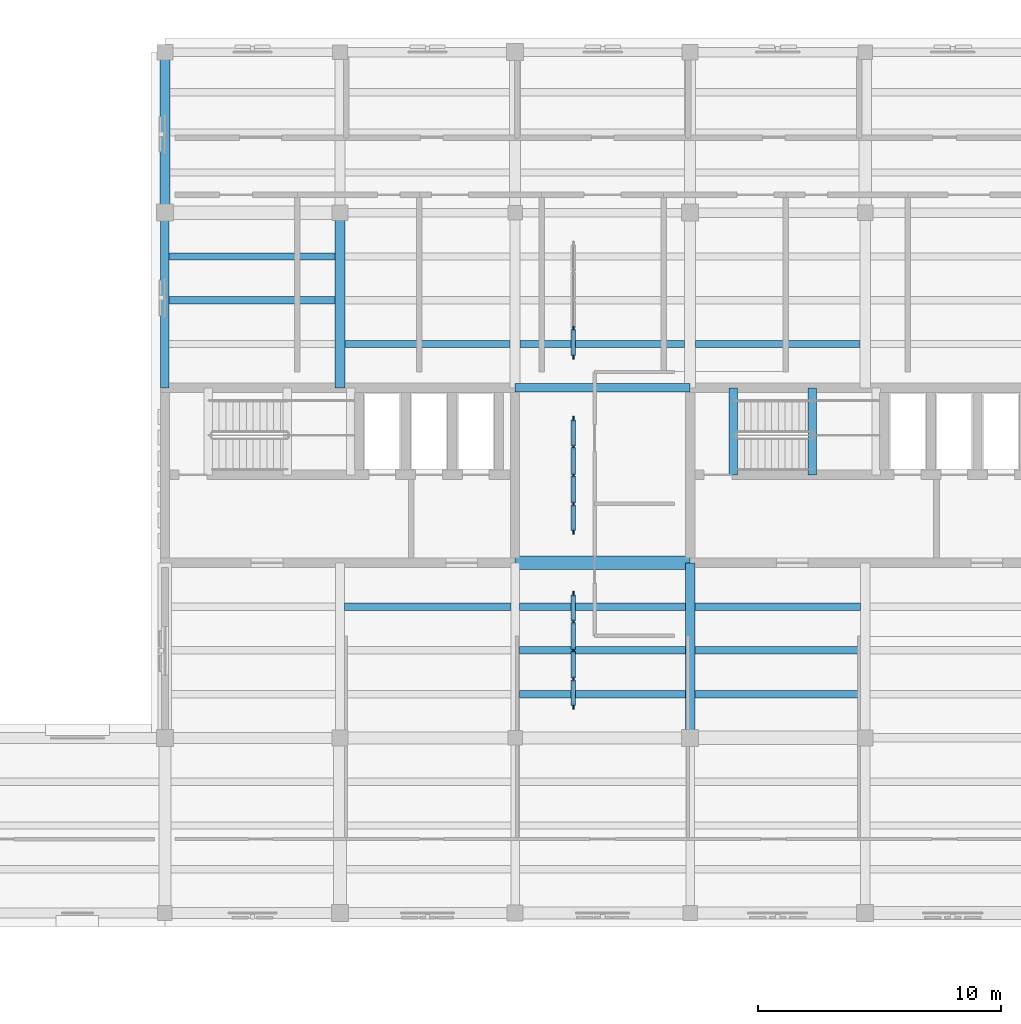
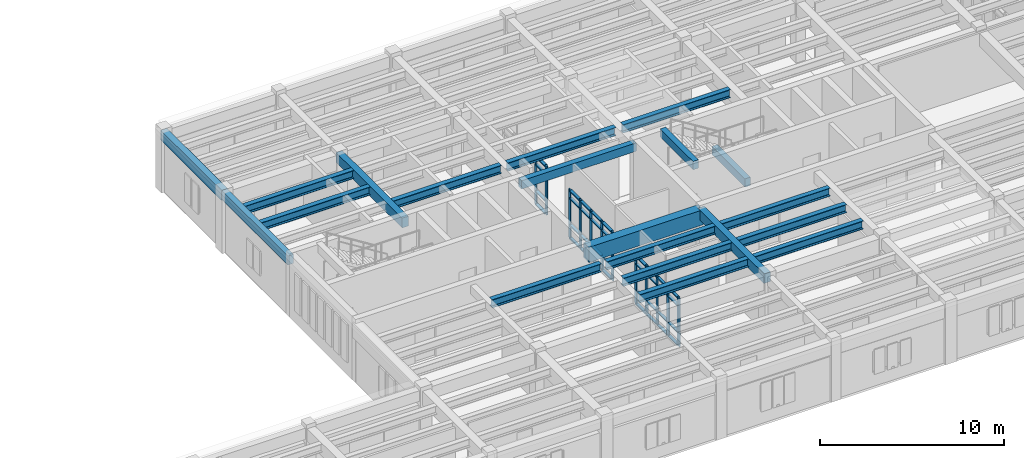
# One storey, part 5 of 40: 48 members, 20 beams, 3 elements without a shape of their own.
"""IFC4 building model written with IfcOpenShell, lengths in metres."""

from ifc_helpers import new_model, si_unit, direction, frame, origin, origin_2d, place, context, subcontext, project, spatial, rectangle, i_section, extrude, material, material_profile, profile_set, type_object, element, aggregate, save


model = new_model("IFC4")

# Units and contexts
model_context = context("Model", 3, precision=1e-05, world=origin(), true_north=direction((0.0, 1.0)))
body_context = subcontext(model_context, "Body", "Model", "MODEL_VIEW")
ifc_project = project(units=[si_unit("LENGTHUNIT", "METRE"), si_unit("AREAUNIT", "SQUARE_METRE"), si_unit("VOLUMEUNIT", "CUBIC_METRE"), si_unit("PLANEANGLEUNIT", "RADIAN"), si_unit("MASSUNIT", "GRAM", prefix="KILO")], contexts=[model_context])

# Site, building, storey
site_placement = place(None, origin())
site = spatial("IfcSite", under=ifc_project, at=site_placement, CompositionType="ELEMENT")
building_placement = place(site_placement, origin())
building = spatial("IfcBuilding", under=site, at=building_placement, Name="Mithqara Police Headquarters", CompositionType="ELEMENT")
storey_placement = place(building_placement, frame((0.0, 0.0, 13.800048828125)))
storey = spatial("IfcBuildingStorey", under=building, at=storey_placement, Name="L03", CompositionType="ELEMENT", Elevation=13.800048828125)

# Beams
ifc_material_1 = material(Name="Steel S355JR", Category="steel")
ifc_material_profile_1 = material_profile(ifc_material_1, i_section(OverallWidth=0.300048828125, OverallDepth=0.550048828125, WebThickness=0.014892578125, FlangeThickness=0.029052734375, FilletRadius=0.027099609375, at=origin_2d()), Name="HEB 550")
ifc_profile_set_1 = profile_set([ifc_material_profile_1], Name="Steel S355JR")
beam_type_1 = type_object("IfcBeamType", Name="BEAM HEB550", PredefinedType="BEAM", material=ifc_profile_set_1)
for number, where, z_axis, x_axis, name in (
    (1, (108.77490234375, 103.800048828125, 3.6650390625), (1.0, 0.0, 0.0), (0.0, 1.0, 0.0), "L03 Composite Steel Joist 16-17/Q.2"),
    (2, (108.77490234375, 105.60009765625, 3.6650390625), (1.0, 0.0, 0.0), (0.0, 1.0, 0.0), "L03 Composite Steel Joist 16-17/Q.3"),
):
    element("IfcBeam", number, at=place(storey_placement, frame(where, z_axis=z_axis, x_axis=x_axis)), inside=storey, type_object=beam_type_1, Name=name, PredefinedType="BEAM", context=body_context, shape_type="SweptSolid", body=[
        extrude(i_section(OverallWidth=0.300048828125, OverallDepth=0.550048828125, WebThickness=0.014892578125, FlangeThickness=0.029052734375, FilletRadius=0.027099609375, at=origin_2d()), origin(), (0.0, 0.0, 1.0), 6.8251953125),
    ])
beam_1_placement = place(storey_placement, frame((115.97509765625, 91.199951171875, 3.6650390625), z_axis=(1.0, 0.0, 0.0), x_axis=(0.0, 1.0, 0.0)))
element("IfcBeam", 3, at=beam_1_placement, inside=storey, type_object=beam_type_1, Name="L03 Composite Steel Joist 17-18/N.3", PredefinedType="BEAM", context=body_context, shape_type="SweptSolid", body=[
    extrude(i_section(OverallWidth=0.300048828125, OverallDepth=0.550048828125, WebThickness=0.014892578125, FlangeThickness=0.029052734375, FilletRadius=0.027099609375, at=origin_2d()), origin(), (0.0, 0.0, 1.0), 6.849853515625),
])
beam_2_placement = place(storey_placement, frame((116.0, 102.0, 3.6650390625), z_axis=(1.0, 0.0, 0.0), x_axis=(0.0, 1.0, 0.0)))
element("IfcBeam", 4, at=beam_2_placement, inside=storey, type_object=beam_type_1, Name="L03 Composite Steel Joist 17-18/Q.1", PredefinedType="BEAM", context=body_context, shape_type="SweptSolid", body=[
    extrude(i_section(OverallWidth=0.300048828125, OverallDepth=0.550048828125, WebThickness=0.014892578125, FlangeThickness=0.029052734375, FilletRadius=0.027099609375, at=origin_2d()), origin(), (0.0, 0.0, 1.0), 6.800048828125),
])
for number, where, z_axis, x_axis, name in (
    (5, (123.175048828125, 87.60009765625, 3.6650390625), (1.0, 0.0, 0.0), (0.0, 1.0, 0.0), "L03 Composite Steel Joist 18-19/N.1"),
    (6, (123.175048828125, 89.39990234375, 3.6650390625), (1.0, 0.0, 0.0), (0.0, 1.0, 0.0), "L03 Composite Steel Joist 18-19/N.2"),
    (7, (123.175048828125, 91.199951171875, 3.6650390625), (1.0, 0.0, 0.0), (0.0, 1.0, 0.0), "L03 Composite Steel Joist 18-19/N.3"),
):
    element("IfcBeam", number, at=place(storey_placement, frame(where, z_axis=z_axis, x_axis=x_axis)), inside=storey, type_object=beam_type_1, Name=name, PredefinedType="BEAM", context=body_context, shape_type="SweptSolid", body=[
        extrude(i_section(OverallWidth=0.300048828125, OverallDepth=0.550048828125, WebThickness=0.014892578125, FlangeThickness=0.029052734375, FilletRadius=0.027099609375, at=origin_2d()), origin(), (0.0, 0.0, 1.0), 6.824951171875),
    ])
beam_3_placement = place(storey_placement, frame((123.199951171875, 102.0, 3.6650390625), z_axis=(1.0, 0.0, 0.0), x_axis=(0.0, 1.0, 0.0)))
element("IfcBeam", 8, at=beam_3_placement, inside=storey, type_object=beam_type_1, Name="L03 Composite Steel Joist 18-19/Q.1", PredefinedType="BEAM", context=body_context, shape_type="SweptSolid", body=[
    extrude(i_section(OverallWidth=0.300048828125, OverallDepth=0.550048828125, WebThickness=0.014892578125, FlangeThickness=0.029052734375, FilletRadius=0.027099609375, at=origin_2d()), origin(), (0.0, 0.0, 1.0), 6.775146484375),
])
for number, where, z_axis, x_axis, name in (
    (9, (130.39990234375, 87.60009765625, 3.6650390625), (1.0, 0.0, 0.0), (0.0, 1.0, 0.0), "L03 Composite Steel Joist 19-20/N.1"),
    (10, (130.39990234375, 89.39990234375, 3.6650390625), (1.0, 0.0, 0.0), (0.0, 1.0, 0.0), "L03 Composite Steel Joist 19-20/N.2"),
    (11, (130.39990234375, 91.199951171875, 3.6650390625), (1.0, 0.0, 0.0), (0.0, 1.0, 0.0), "L03 Composite Steel Joist 19-20/N.3"),
):
    element("IfcBeam", number, at=place(storey_placement, frame(where, z_axis=z_axis, x_axis=x_axis)), inside=storey, type_object=beam_type_1, Name=name, PredefinedType="BEAM", context=body_context, shape_type="SweptSolid", body=[
        extrude(i_section(OverallWidth=0.300048828125, OverallDepth=0.550048828125, WebThickness=0.014892578125, FlangeThickness=0.029052734375, FilletRadius=0.027099609375, at=origin_2d()), origin(), (0.0, 0.0, 1.0), 6.800048828125),
    ])
beam_4_placement = place(storey_placement, frame((130.425048828125, 102.0, 3.6650390625), z_axis=(1.0, 0.0, 0.0), x_axis=(0.0, 1.0, 0.0)))
element("IfcBeam", 12, at=beam_4_placement, inside=storey, type_object=beam_type_1, Name="L03 Composite Steel Joist 19-20/Q.1", PredefinedType="BEAM", context=body_context, shape_type="SweptSolid", body=[
    extrude(i_section(OverallWidth=0.300048828125, OverallDepth=0.550048828125, WebThickness=0.014892578125, FlangeThickness=0.029052734375, FilletRadius=0.027099609375, at=origin_2d()), origin(), (0.0, 0.0, 1.0), 6.75),
])
ifc_material_2 = material(Name="Concrete C40/50", Category="concrete")
ifc_material_profile_2 = material_profile(ifc_material_2, rectangle(XDim=0.35009765625, YDim=0.550048828125, at=origin_2d()), Name="RC 350x550")
ifc_profile_set_2 = profile_set([ifc_material_profile_2], Name="Concrete C40/50")
beam_type_2 = type_object("IfcBeamType", Name="BEAM RC350X550", PredefinedType="BEAM", material=ifc_profile_set_2)
beam_5_placement = place(storey_placement, frame((123.0, 100.199951171875, 3.6650390625), z_axis=(1.0, 0.0, 0.0), x_axis=(0.0, 1.0, 0.0)))
element("IfcBeam", 13, at=beam_5_placement, inside=storey, type_object=beam_type_2, Name="L03 Girder 18-19/Q", PredefinedType="BEAM", context=body_context, shape_type="SweptSolid", body=[
    extrude(rectangle(XDim=0.35009765625, YDim=0.550048828125, at=origin_2d()), origin(), (0.0, 0.0, 1.0), 7.199951171875),
])
for number, where, z_axis, x_axis, name in (
    (14, (135.22998046875, 96.6201171875, 1.635009765625), (0.0, 1.0, 0.0), (-1.0, 0.0, 0.0), "L03 ST-02 Half-Landing Bearer LF"),
    (15, (131.97705078125, 96.6201171875, 3.925048828125), (0.0, 1.0, 0.0), (-1.0, 0.0, 0.0), "L03 ST-02 Stairwell Trimmer Beam"),
):
    element("IfcBeam", number, at=place(storey_placement, frame(where, z_axis=z_axis, x_axis=x_axis)), inside=storey, type_object=beam_type_2, Name=name, PredefinedType="BEAM", context=body_context, shape_type="SweptSolid", body=[
        extrude(rectangle(XDim=0.35009765625, YDim=0.550048828125, at=origin_2d()), origin(), (0.0, 0.0, 1.0), 3.579833984375),
    ])
ifc_material_profile_3 = material_profile(ifc_material_2, rectangle(XDim=0.35009765625, YDim=0.60009765625, at=origin_2d()), Name="RC 350x600")
ifc_profile_set_3 = profile_set([ifc_material_profile_3], Name="Concrete C40/50")
beam_type_3 = type_object("IfcBeamType", Name="BEAM RC350X600", PredefinedType="BEAM", material=ifc_profile_set_3)
beam_6_placement = place(storey_placement, frame((108.60009765625, 100.199951171875, 3.639892578125), z_axis=(0.0, 1.0, 0.0), x_axis=(-1.0, 0.0, 0.0)))
element("IfcBeam", 16, at=beam_6_placement, inside=storey, type_object=beam_type_3, Name="L03 Girder 16/Q-R", PredefinedType="BEAM", context=body_context, shape_type="SweptSolid", body=[
    extrude(rectangle(XDim=0.35009765625, YDim=0.60009765625, at=origin_2d()), origin(), (0.0, 0.0, 1.0), 7.199951171875),
])
ifc_material_profile_4 = material_profile(ifc_material_2, rectangle(XDim=0.39990234375, YDim=0.64990234375, at=origin_2d()), Name="RC 400x650")
ifc_profile_set_4 = profile_set([ifc_material_profile_4], Name="Concrete C40/50")
beam_type_4 = type_object("IfcBeamType", Name="BEAM RC400X650", PredefinedType="BEAM", material=ifc_profile_set_4)
beam_7_placement = place(storey_placement, frame((108.60009765625, 107.39990234375, 3.614990234375), z_axis=(0.0, 1.0, 0.0), x_axis=(-1.0, 0.0, 0.0)))
element("IfcBeam", 17, at=beam_7_placement, inside=storey, type_object=beam_type_4, Name="L03 Girder 16/R-S", PredefinedType="BEAM", context=body_context, shape_type="SweptSolid", body=[
    extrude(rectangle(XDim=0.39990234375, YDim=0.64990234375, at=origin_2d()), origin(), (0.0, 0.0, 1.0), 6.60009765625),
])
for number, where, z_axis, x_axis, name in (
    (18, (115.800048828125, 100.199951171875, 3.614990234375), (0.0, 1.0, 0.0), (-1.0, 0.0, 0.0), "L03 Girder 17/Q-R"),
    (19, (130.199951171875, 85.800048828125, 3.614990234375), (0.0, 1.0, 0.0), (-1.0, 0.0, 0.0), "L03 Girder 19/N-P"),
):
    element("IfcBeam", number, at=place(storey_placement, frame(where, z_axis=z_axis, x_axis=x_axis)), inside=storey, type_object=beam_type_4, Name=name, PredefinedType="BEAM", context=body_context, shape_type="SweptSolid", body=[
        extrude(rectangle(XDim=0.39990234375, YDim=0.64990234375, at=origin_2d()), origin(), (0.0, 0.0, 1.0), 7.199951171875),
    ])
ifc_material_3 = material(Name="Concrete C50/60", Category="concrete")
ifc_material_profile_5 = material_profile(ifc_material_3, rectangle(XDim=0.550048828125, YDim=1.0, at=origin_2d()), Name="RC 550x1000")
ifc_profile_set_5 = profile_set([ifc_material_profile_5], Name="Concrete C50/60")
beam_type_5 = type_object("IfcBeamType", Name="BEAM RC550X1000", PredefinedType="BEAM", material=ifc_profile_set_5)
beam_8_placement = place(storey_placement, frame((123.0, 93.0, 3.43994140625), z_axis=(1.0, 0.0, 0.0), x_axis=(0.0, 1.0, 0.0)))
element("IfcBeam", 20, at=beam_8_placement, inside=storey, type_object=beam_type_5, Name="L03 Girder 18-19/P", PredefinedType="BEAM", context=body_context, shape_type="SweptSolid", body=[
    extrude(rectangle(XDim=0.550048828125, YDim=1.0, at=origin_2d()), origin(), (0.0, 0.0, 1.0), 7.199951171875),
])

# Curtain wall, members
ifc_material_4 = material(Name="Bronze anodised aluminium 6063-T6", Category="aluminium")
curtain_wall_type = type_object("IfcCurtainWallType", Name="CURTAIN WALL 4700X3220", PredefinedType="USERDEFINED", material=ifc_material_4)
curtain_wall_1_placement = place(storey_placement, origin())
curtain_wall_1 = element("IfcCurtainWall", 21, at=curtain_wall_1_placement, inside=storey, type_object=curtain_wall_type, Name="L03 Unitised Glazing CW-16 (CW-INT-L03-X17-Y12-0)", ObjectType="UNITISED GLAZING", PredefinedType="USERDEFINED")
ifc_material_profile_6 = material_profile(ifc_material_4, rectangle(XDim=0.074951171875, YDim=0.219970703125, at=origin_2d()), Name="CWM 75x220")
ifc_profile_set_6 = profile_set([ifc_material_profile_6], Name="Bronze anodised aluminium 6063-T6")
member_type_1 = type_object("IfcMemberType", Name="CWMULLION 75X220", PredefinedType="MULLION", material=ifc_profile_set_6)
member_1_placement = place(storey_placement, frame((125.39990234375, 87.08740234375, 0.0), z_axis=(0.0, 0.0, 1.0), x_axis=(-1.0, 0.0, 0.0)))
member_1 = element("IfcMember", 22, at=member_1_placement, type_object=member_type_1, Name="CW-16 mullion 1", PredefinedType="MULLION", context=body_context, shape_type="SweptSolid", body=[
    extrude(rectangle(XDim=0.074951171875, YDim=0.219970703125, at=origin_2d()), origin(), (0.0, 0.0, 1.0), 3.219970703125),
])
member_2_placement = place(storey_placement, frame((125.39990234375, 88.22509765625, 0.0), z_axis=(0.0, 0.0, 1.0), x_axis=(-1.0, 0.0, 0.0)))
member_2 = element("IfcMember", 23, at=member_2_placement, type_object=member_type_1, Name="CW-16 mullion 2", PredefinedType="MULLION", context=body_context, shape_type="SweptSolid", body=[
    extrude(rectangle(XDim=0.074951171875, YDim=0.219970703125, at=origin_2d()), origin(), (0.0, 0.0, 1.0), 3.219970703125),
])
member_3_placement = place(storey_placement, frame((125.39990234375, 89.39990234375, 0.0), z_axis=(0.0, 0.0, 1.0), x_axis=(-1.0, 0.0, 0.0)))
member_3 = element("IfcMember", 24, at=member_3_placement, type_object=member_type_1, Name="CW-16 mullion 3", PredefinedType="MULLION", context=body_context, shape_type="SweptSolid", body=[
    extrude(rectangle(XDim=0.074951171875, YDim=0.219970703125, at=origin_2d()), origin(), (0.0, 0.0, 1.0), 3.219970703125),
])
member_4_placement = place(storey_placement, frame((125.39990234375, 90.574951171875, 0.0), z_axis=(0.0, 0.0, 1.0), x_axis=(-1.0, 0.0, 0.0)))
member_4 = element("IfcMember", 25, at=member_4_placement, type_object=member_type_1, Name="CW-16 mullion 4", PredefinedType="MULLION", context=body_context, shape_type="SweptSolid", body=[
    extrude(rectangle(XDim=0.074951171875, YDim=0.219970703125, at=origin_2d()), origin(), (0.0, 0.0, 1.0), 3.219970703125),
])
member_5_placement = place(storey_placement, frame((125.39990234375, 91.71240234375, 0.0), z_axis=(0.0, 0.0, 1.0), x_axis=(-1.0, 0.0, 0.0)))
member_5 = element("IfcMember", 26, at=member_5_placement, type_object=member_type_1, Name="CW-16 mullion 5", PredefinedType="MULLION", context=body_context, shape_type="SweptSolid", body=[
    extrude(rectangle(XDim=0.074951171875, YDim=0.219970703125, at=origin_2d()), origin(), (0.0, 0.0, 1.0), 3.219970703125),
])

curtain_wall_2_placement = place(storey_placement, origin())
curtain_wall_2 = element("IfcCurtainWall", 27, at=curtain_wall_2_placement, inside=storey, type_object=curtain_wall_type, Name="L03 Unitised Glazing CW-16 (CW-INT-L03-X17-Y13-0)", ObjectType="UNITISED GLAZING", PredefinedType="USERDEFINED")
member_6_placement = place(storey_placement, frame((125.39990234375, 94.28759765625, 0.0), z_axis=(0.0, 0.0, 1.0), x_axis=(-1.0, 0.0, 0.0)))
member_6 = element("IfcMember", 28, at=member_6_placement, type_object=member_type_1, Name="CW-16 mullion 1", PredefinedType="MULLION", context=body_context, shape_type="SweptSolid", body=[
    extrude(rectangle(XDim=0.074951171875, YDim=0.219970703125, at=origin_2d()), origin(), (0.0, 0.0, 1.0), 3.219970703125),
])
member_7_placement = place(storey_placement, frame((125.39990234375, 95.425048828125, 0.0), z_axis=(0.0, 0.0, 1.0), x_axis=(-1.0, 0.0, 0.0)))
member_7 = element("IfcMember", 29, at=member_7_placement, type_object=member_type_1, Name="CW-16 mullion 2", PredefinedType="MULLION", context=body_context, shape_type="SweptSolid", body=[
    extrude(rectangle(XDim=0.074951171875, YDim=0.219970703125, at=origin_2d()), origin(), (0.0, 0.0, 1.0), 3.219970703125),
])
member_8_placement = place(storey_placement, frame((125.39990234375, 96.60009765625, 0.0), z_axis=(0.0, 0.0, 1.0), x_axis=(-1.0, 0.0, 0.0)))
member_8 = element("IfcMember", 30, at=member_8_placement, type_object=member_type_1, Name="CW-16 mullion 3", PredefinedType="MULLION", context=body_context, shape_type="SweptSolid", body=[
    extrude(rectangle(XDim=0.074951171875, YDim=0.219970703125, at=origin_2d()), origin(), (0.0, 0.0, 1.0), 3.219970703125),
])
member_9_placement = place(storey_placement, frame((125.39990234375, 97.77490234375, 0.0), z_axis=(0.0, 0.0, 1.0), x_axis=(-1.0, 0.0, 0.0)))
member_9 = element("IfcMember", 31, at=member_9_placement, type_object=member_type_1, Name="CW-16 mullion 4", PredefinedType="MULLION", context=body_context, shape_type="SweptSolid", body=[
    extrude(rectangle(XDim=0.074951171875, YDim=0.219970703125, at=origin_2d()), origin(), (0.0, 0.0, 1.0), 3.219970703125),
])
member_10_placement = place(storey_placement, frame((125.39990234375, 98.91259765625, 0.0), z_axis=(0.0, 0.0, 1.0), x_axis=(-1.0, 0.0, 0.0)))
member_10 = element("IfcMember", 32, at=member_10_placement, type_object=member_type_1, Name="CW-16 mullion 5", PredefinedType="MULLION", context=body_context, shape_type="SweptSolid", body=[
    extrude(rectangle(XDim=0.074951171875, YDim=0.219970703125, at=origin_2d()), origin(), (0.0, 0.0, 1.0), 3.219970703125),
])

curtain_wall_3_placement = place(storey_placement, origin())
curtain_wall_3 = element("IfcCurtainWall", 33, at=curtain_wall_3_placement, inside=storey, type_object=curtain_wall_type, Name="L03 Unitised Glazing CW-16 (CW-INT-L03-X17-Y14-0)", ObjectType="UNITISED GLAZING", PredefinedType="USERDEFINED")
member_11_placement = place(storey_placement, frame((125.39990234375, 101.487548828125, 0.0), z_axis=(0.0, 0.0, 1.0), x_axis=(-1.0, 0.0, 0.0)))
member_11 = element("IfcMember", 34, at=member_11_placement, type_object=member_type_1, Name="CW-16 mullion 1", PredefinedType="MULLION", context=body_context, shape_type="SweptSolid", body=[
    extrude(rectangle(XDim=0.074951171875, YDim=0.219970703125, at=origin_2d()), origin(), (0.0, 0.0, 1.0), 3.219970703125),
])
member_12_placement = place(storey_placement, frame((125.39990234375, 102.625, 0.0), z_axis=(0.0, 0.0, 1.0), x_axis=(-1.0, 0.0, 0.0)))
member_12 = element("IfcMember", 35, at=member_12_placement, type_object=member_type_1, Name="CW-16 mullion 2", PredefinedType="MULLION", context=body_context, shape_type="SweptSolid", body=[
    extrude(rectangle(XDim=0.074951171875, YDim=0.219970703125, at=origin_2d()), origin(), (0.0, 0.0, 1.0), 3.219970703125),
])

# Member
ifc_material_profile_7 = material_profile(ifc_material_4, rectangle(XDim=0.179931640625, YDim=0.074951171875, at=origin_2d()), Name="CWT 180x75")
ifc_profile_set_7 = profile_set([ifc_material_profile_7], Name="Bronze anodised aluminium 6063-T6")
member_type_2 = type_object("IfcMemberType", Name="CWTRANSOM 180X75", PredefinedType="USERDEFINED", material=ifc_profile_set_7)
member_13_placement = place(storey_placement, frame((125.39990234375, 87.125, 0.037353515625), z_axis=(0.0, 1.0, 0.0), x_axis=(-1.0, 0.0, 0.0)))
member_13 = element("IfcMember", 36, at=member_13_placement, type_object=member_type_2, Name="CW-16 transom 1.1", ObjectType="TRANSOM", PredefinedType="USERDEFINED", context=body_context, shape_type="SweptSolid", body=[
    extrude(rectangle(XDim=0.179931640625, YDim=0.074951171875, at=origin_2d()), origin(), (0.0, 0.0, 1.0), 1.0625),
])

member_14_placement = place(storey_placement, frame((125.39990234375, 87.125, 0.89990234375), z_axis=(0.0, 1.0, 0.0), x_axis=(-1.0, 0.0, 0.0)))
member_14 = element("IfcMember", 37, at=member_14_placement, type_object=member_type_2, Name="CW-16 transom 1.2", ObjectType="TRANSOM", PredefinedType="USERDEFINED", context=body_context, shape_type="SweptSolid", body=[
    extrude(rectangle(XDim=0.179931640625, YDim=0.074951171875, at=origin_2d()), origin(), (0.0, 0.0, 1.0), 1.0625),
])

member_15_placement = place(storey_placement, frame((125.39990234375, 87.125, 2.669921875), z_axis=(0.0, 1.0, 0.0), x_axis=(-1.0, 0.0, 0.0)))
member_15 = element("IfcMember", 38, at=member_15_placement, type_object=member_type_2, Name="CW-16 transom 1.3", ObjectType="TRANSOM", PredefinedType="USERDEFINED", context=body_context, shape_type="SweptSolid", body=[
    extrude(rectangle(XDim=0.179931640625, YDim=0.074951171875, at=origin_2d()), origin(), (0.0, 0.0, 1.0), 1.0625),
])

member_16_placement = place(storey_placement, frame((125.39990234375, 87.125, 3.182373046875), z_axis=(0.0, 1.0, 0.0), x_axis=(-1.0, 0.0, 0.0)))
member_16 = element("IfcMember", 39, at=member_16_placement, type_object=member_type_2, Name="CW-16 transom 1.4", ObjectType="TRANSOM", PredefinedType="USERDEFINED", context=body_context, shape_type="SweptSolid", body=[
    extrude(rectangle(XDim=0.179931640625, YDim=0.074951171875, at=origin_2d()), origin(), (0.0, 0.0, 1.0), 1.0625),
])

member_17_placement = place(storey_placement, frame((125.39990234375, 88.262451171875, 0.037353515625), z_axis=(0.0, 1.0, 0.0), x_axis=(-1.0, 0.0, 0.0)))
member_17 = element("IfcMember", 40, at=member_17_placement, type_object=member_type_2, Name="CW-16 transom 2.1", ObjectType="TRANSOM", PredefinedType="USERDEFINED", context=body_context, shape_type="SweptSolid", body=[
    extrude(rectangle(XDim=0.179931640625, YDim=0.074951171875, at=origin_2d()), origin(), (0.0, 0.0, 1.0), 1.10009765625),
])

member_18_placement = place(storey_placement, frame((125.39990234375, 88.262451171875, 0.89990234375), z_axis=(0.0, 1.0, 0.0), x_axis=(-1.0, 0.0, 0.0)))
member_18 = element("IfcMember", 41, at=member_18_placement, type_object=member_type_2, Name="CW-16 transom 2.2", ObjectType="TRANSOM", PredefinedType="USERDEFINED", context=body_context, shape_type="SweptSolid", body=[
    extrude(rectangle(XDim=0.179931640625, YDim=0.074951171875, at=origin_2d()), origin(), (0.0, 0.0, 1.0), 1.10009765625),
])

member_19_placement = place(storey_placement, frame((125.39990234375, 88.262451171875, 2.669921875), z_axis=(0.0, 1.0, 0.0), x_axis=(-1.0, 0.0, 0.0)))
member_19 = element("IfcMember", 42, at=member_19_placement, type_object=member_type_2, Name="CW-16 transom 2.3", ObjectType="TRANSOM", PredefinedType="USERDEFINED", context=body_context, shape_type="SweptSolid", body=[
    extrude(rectangle(XDim=0.179931640625, YDim=0.074951171875, at=origin_2d()), origin(), (0.0, 0.0, 1.0), 1.10009765625),
])

member_20_placement = place(storey_placement, frame((125.39990234375, 88.262451171875, 3.182373046875), z_axis=(0.0, 1.0, 0.0), x_axis=(-1.0, 0.0, 0.0)))
member_20 = element("IfcMember", 43, at=member_20_placement, type_object=member_type_2, Name="CW-16 transom 2.4", ObjectType="TRANSOM", PredefinedType="USERDEFINED", context=body_context, shape_type="SweptSolid", body=[
    extrude(rectangle(XDim=0.179931640625, YDim=0.074951171875, at=origin_2d()), origin(), (0.0, 0.0, 1.0), 1.10009765625),
])

member_21_placement = place(storey_placement, frame((125.39990234375, 89.4375, 0.037353515625), z_axis=(0.0, 1.0, 0.0), x_axis=(-1.0, 0.0, 0.0)))
member_21 = element("IfcMember", 44, at=member_21_placement, type_object=member_type_2, Name="CW-16 transom 3.1", ObjectType="TRANSOM", PredefinedType="USERDEFINED", context=body_context, shape_type="SweptSolid", body=[
    extrude(rectangle(XDim=0.179931640625, YDim=0.074951171875, at=origin_2d()), origin(), (0.0, 0.0, 1.0), 1.10009765625),
])

member_22_placement = place(storey_placement, frame((125.39990234375, 89.4375, 0.89990234375), z_axis=(0.0, 1.0, 0.0), x_axis=(-1.0, 0.0, 0.0)))
member_22 = element("IfcMember", 45, at=member_22_placement, type_object=member_type_2, Name="CW-16 transom 3.2", ObjectType="TRANSOM", PredefinedType="USERDEFINED", context=body_context, shape_type="SweptSolid", body=[
    extrude(rectangle(XDim=0.179931640625, YDim=0.074951171875, at=origin_2d()), origin(), (0.0, 0.0, 1.0), 1.10009765625),
])

member_23_placement = place(storey_placement, frame((125.39990234375, 89.4375, 2.669921875), z_axis=(0.0, 1.0, 0.0), x_axis=(-1.0, 0.0, 0.0)))
member_23 = element("IfcMember", 46, at=member_23_placement, type_object=member_type_2, Name="CW-16 transom 3.3", ObjectType="TRANSOM", PredefinedType="USERDEFINED", context=body_context, shape_type="SweptSolid", body=[
    extrude(rectangle(XDim=0.179931640625, YDim=0.074951171875, at=origin_2d()), origin(), (0.0, 0.0, 1.0), 1.10009765625),
])

member_24_placement = place(storey_placement, frame((125.39990234375, 89.4375, 3.182373046875), z_axis=(0.0, 1.0, 0.0), x_axis=(-1.0, 0.0, 0.0)))
member_24 = element("IfcMember", 47, at=member_24_placement, type_object=member_type_2, Name="CW-16 transom 3.4", ObjectType="TRANSOM", PredefinedType="USERDEFINED", context=body_context, shape_type="SweptSolid", body=[
    extrude(rectangle(XDim=0.179931640625, YDim=0.074951171875, at=origin_2d()), origin(), (0.0, 0.0, 1.0), 1.10009765625),
])

member_25_placement = place(storey_placement, frame((125.39990234375, 90.612548828125, 0.037353515625), z_axis=(0.0, 1.0, 0.0), x_axis=(-1.0, 0.0, 0.0)))
member_25 = element("IfcMember", 48, at=member_25_placement, type_object=member_type_2, Name="CW-16 transom 4.1", ObjectType="TRANSOM", PredefinedType="USERDEFINED", context=body_context, shape_type="SweptSolid", body=[
    extrude(rectangle(XDim=0.179931640625, YDim=0.074951171875, at=origin_2d()), origin(), (0.0, 0.0, 1.0), 1.0625),
])

member_26_placement = place(storey_placement, frame((125.39990234375, 90.612548828125, 0.89990234375), z_axis=(0.0, 1.0, 0.0), x_axis=(-1.0, 0.0, 0.0)))
member_26 = element("IfcMember", 49, at=member_26_placement, type_object=member_type_2, Name="CW-16 transom 4.2", ObjectType="TRANSOM", PredefinedType="USERDEFINED", context=body_context, shape_type="SweptSolid", body=[
    extrude(rectangle(XDim=0.179931640625, YDim=0.074951171875, at=origin_2d()), origin(), (0.0, 0.0, 1.0), 1.0625),
])

member_27_placement = place(storey_placement, frame((125.39990234375, 90.612548828125, 2.669921875), z_axis=(0.0, 1.0, 0.0), x_axis=(-1.0, 0.0, 0.0)))
member_27 = element("IfcMember", 50, at=member_27_placement, type_object=member_type_2, Name="CW-16 transom 4.3", ObjectType="TRANSOM", PredefinedType="USERDEFINED", context=body_context, shape_type="SweptSolid", body=[
    extrude(rectangle(XDim=0.179931640625, YDim=0.074951171875, at=origin_2d()), origin(), (0.0, 0.0, 1.0), 1.0625),
])

member_28_placement = place(storey_placement, frame((125.39990234375, 90.612548828125, 3.182373046875), z_axis=(0.0, 1.0, 0.0), x_axis=(-1.0, 0.0, 0.0)))
member_28 = element("IfcMember", 51, at=member_28_placement, type_object=member_type_2, Name="CW-16 transom 4.4", ObjectType="TRANSOM", PredefinedType="USERDEFINED", context=body_context, shape_type="SweptSolid", body=[
    extrude(rectangle(XDim=0.179931640625, YDim=0.074951171875, at=origin_2d()), origin(), (0.0, 0.0, 1.0), 1.0625),
])

aggregate(curtain_wall_1, [member_1, member_2, member_3, member_4, member_5, member_13, member_14, member_15, member_16, member_17, member_18, member_19, member_20, member_21, member_22, member_23, member_24, member_25, member_26, member_27, member_28])

member_29_placement = place(storey_placement, frame((125.39990234375, 94.324951171875, 0.037353515625), z_axis=(0.0, 1.0, 0.0), x_axis=(-1.0, 0.0, 0.0)))
member_29 = element("IfcMember", 52, at=member_29_placement, type_object=member_type_2, Name="CW-16 transom 1.1", ObjectType="TRANSOM", PredefinedType="USERDEFINED", context=body_context, shape_type="SweptSolid", body=[
    extrude(rectangle(XDim=0.179931640625, YDim=0.074951171875, at=origin_2d()), origin(), (0.0, 0.0, 1.0), 1.0625),
])

member_30_placement = place(storey_placement, frame((125.39990234375, 94.324951171875, 0.89990234375), z_axis=(0.0, 1.0, 0.0), x_axis=(-1.0, 0.0, 0.0)))
member_30 = element("IfcMember", 53, at=member_30_placement, type_object=member_type_2, Name="CW-16 transom 1.2", ObjectType="TRANSOM", PredefinedType="USERDEFINED", context=body_context, shape_type="SweptSolid", body=[
    extrude(rectangle(XDim=0.179931640625, YDim=0.074951171875, at=origin_2d()), origin(), (0.0, 0.0, 1.0), 1.0625),
])

member_31_placement = place(storey_placement, frame((125.39990234375, 94.324951171875, 2.669921875), z_axis=(0.0, 1.0, 0.0), x_axis=(-1.0, 0.0, 0.0)))
member_31 = element("IfcMember", 54, at=member_31_placement, type_object=member_type_2, Name="CW-16 transom 1.3", ObjectType="TRANSOM", PredefinedType="USERDEFINED", context=body_context, shape_type="SweptSolid", body=[
    extrude(rectangle(XDim=0.179931640625, YDim=0.074951171875, at=origin_2d()), origin(), (0.0, 0.0, 1.0), 1.0625),
])

member_32_placement = place(storey_placement, frame((125.39990234375, 94.324951171875, 3.182373046875), z_axis=(0.0, 1.0, 0.0), x_axis=(-1.0, 0.0, 0.0)))
member_32 = element("IfcMember", 55, at=member_32_placement, type_object=member_type_2, Name="CW-16 transom 1.4", ObjectType="TRANSOM", PredefinedType="USERDEFINED", context=body_context, shape_type="SweptSolid", body=[
    extrude(rectangle(XDim=0.179931640625, YDim=0.074951171875, at=origin_2d()), origin(), (0.0, 0.0, 1.0), 1.0625),
])

member_33_placement = place(storey_placement, frame((125.39990234375, 95.46240234375, 0.037353515625), z_axis=(0.0, 1.0, 0.0), x_axis=(-1.0, 0.0, 0.0)))
member_33 = element("IfcMember", 56, at=member_33_placement, type_object=member_type_2, Name="CW-16 transom 2.1", ObjectType="TRANSOM", PredefinedType="USERDEFINED", context=body_context, shape_type="SweptSolid", body=[
    extrude(rectangle(XDim=0.179931640625, YDim=0.074951171875, at=origin_2d()), origin(), (0.0, 0.0, 1.0), 1.10009765625),
])

member_34_placement = place(storey_placement, frame((125.39990234375, 95.46240234375, 0.89990234375), z_axis=(0.0, 1.0, 0.0), x_axis=(-1.0, 0.0, 0.0)))
member_34 = element("IfcMember", 57, at=member_34_placement, type_object=member_type_2, Name="CW-16 transom 2.2", ObjectType="TRANSOM", PredefinedType="USERDEFINED", context=body_context, shape_type="SweptSolid", body=[
    extrude(rectangle(XDim=0.179931640625, YDim=0.074951171875, at=origin_2d()), origin(), (0.0, 0.0, 1.0), 1.10009765625),
])

member_35_placement = place(storey_placement, frame((125.39990234375, 95.46240234375, 2.669921875), z_axis=(0.0, 1.0, 0.0), x_axis=(-1.0, 0.0, 0.0)))
member_35 = element("IfcMember", 58, at=member_35_placement, type_object=member_type_2, Name="CW-16 transom 2.3", ObjectType="TRANSOM", PredefinedType="USERDEFINED", context=body_context, shape_type="SweptSolid", body=[
    extrude(rectangle(XDim=0.179931640625, YDim=0.074951171875, at=origin_2d()), origin(), (0.0, 0.0, 1.0), 1.10009765625),
])

member_36_placement = place(storey_placement, frame((125.39990234375, 95.46240234375, 3.182373046875), z_axis=(0.0, 1.0, 0.0), x_axis=(-1.0, 0.0, 0.0)))
member_36 = element("IfcMember", 59, at=member_36_placement, type_object=member_type_2, Name="CW-16 transom 2.4", ObjectType="TRANSOM", PredefinedType="USERDEFINED", context=body_context, shape_type="SweptSolid", body=[
    extrude(rectangle(XDim=0.179931640625, YDim=0.074951171875, at=origin_2d()), origin(), (0.0, 0.0, 1.0), 1.10009765625),
])

member_37_placement = place(storey_placement, frame((125.39990234375, 96.637451171875, 0.037353515625), z_axis=(0.0, 1.0, 0.0), x_axis=(-1.0, 0.0, 0.0)))
member_37 = element("IfcMember", 60, at=member_37_placement, type_object=member_type_2, Name="CW-16 transom 3.1", ObjectType="TRANSOM", PredefinedType="USERDEFINED", context=body_context, shape_type="SweptSolid", body=[
    extrude(rectangle(XDim=0.179931640625, YDim=0.074951171875, at=origin_2d()), origin(), (0.0, 0.0, 1.0), 1.10009765625),
])

member_38_placement = place(storey_placement, frame((125.39990234375, 96.637451171875, 0.89990234375), z_axis=(0.0, 1.0, 0.0), x_axis=(-1.0, 0.0, 0.0)))
member_38 = element("IfcMember", 61, at=member_38_placement, type_object=member_type_2, Name="CW-16 transom 3.2", ObjectType="TRANSOM", PredefinedType="USERDEFINED", context=body_context, shape_type="SweptSolid", body=[
    extrude(rectangle(XDim=0.179931640625, YDim=0.074951171875, at=origin_2d()), origin(), (0.0, 0.0, 1.0), 1.10009765625),
])

member_39_placement = place(storey_placement, frame((125.39990234375, 96.637451171875, 2.669921875), z_axis=(0.0, 1.0, 0.0), x_axis=(-1.0, 0.0, 0.0)))
member_39 = element("IfcMember", 62, at=member_39_placement, type_object=member_type_2, Name="CW-16 transom 3.3", ObjectType="TRANSOM", PredefinedType="USERDEFINED", context=body_context, shape_type="SweptSolid", body=[
    extrude(rectangle(XDim=0.179931640625, YDim=0.074951171875, at=origin_2d()), origin(), (0.0, 0.0, 1.0), 1.10009765625),
])

member_40_placement = place(storey_placement, frame((125.39990234375, 96.637451171875, 3.182373046875), z_axis=(0.0, 1.0, 0.0), x_axis=(-1.0, 0.0, 0.0)))
member_40 = element("IfcMember", 63, at=member_40_placement, type_object=member_type_2, Name="CW-16 transom 3.4", ObjectType="TRANSOM", PredefinedType="USERDEFINED", context=body_context, shape_type="SweptSolid", body=[
    extrude(rectangle(XDim=0.179931640625, YDim=0.074951171875, at=origin_2d()), origin(), (0.0, 0.0, 1.0), 1.10009765625),
])

member_41_placement = place(storey_placement, frame((125.39990234375, 97.8125, 0.037353515625), z_axis=(0.0, 1.0, 0.0), x_axis=(-1.0, 0.0, 0.0)))
member_41 = element("IfcMember", 64, at=member_41_placement, type_object=member_type_2, Name="CW-16 transom 4.1", ObjectType="TRANSOM", PredefinedType="USERDEFINED", context=body_context, shape_type="SweptSolid", body=[
    extrude(rectangle(XDim=0.179931640625, YDim=0.074951171875, at=origin_2d()), origin(), (0.0, 0.0, 1.0), 1.0625),
])

member_42_placement = place(storey_placement, frame((125.39990234375, 97.8125, 0.89990234375), z_axis=(0.0, 1.0, 0.0), x_axis=(-1.0, 0.0, 0.0)))
member_42 = element("IfcMember", 65, at=member_42_placement, type_object=member_type_2, Name="CW-16 transom 4.2", ObjectType="TRANSOM", PredefinedType="USERDEFINED", context=body_context, shape_type="SweptSolid", body=[
    extrude(rectangle(XDim=0.179931640625, YDim=0.074951171875, at=origin_2d()), origin(), (0.0, 0.0, 1.0), 1.0625),
])

member_43_placement = place(storey_placement, frame((125.39990234375, 97.8125, 2.669921875), z_axis=(0.0, 1.0, 0.0), x_axis=(-1.0, 0.0, 0.0)))
member_43 = element("IfcMember", 66, at=member_43_placement, type_object=member_type_2, Name="CW-16 transom 4.3", ObjectType="TRANSOM", PredefinedType="USERDEFINED", context=body_context, shape_type="SweptSolid", body=[
    extrude(rectangle(XDim=0.179931640625, YDim=0.074951171875, at=origin_2d()), origin(), (0.0, 0.0, 1.0), 1.0625),
])

member_44_placement = place(storey_placement, frame((125.39990234375, 97.8125, 3.182373046875), z_axis=(0.0, 1.0, 0.0), x_axis=(-1.0, 0.0, 0.0)))
member_44 = element("IfcMember", 67, at=member_44_placement, type_object=member_type_2, Name="CW-16 transom 4.4", ObjectType="TRANSOM", PredefinedType="USERDEFINED", context=body_context, shape_type="SweptSolid", body=[
    extrude(rectangle(XDim=0.179931640625, YDim=0.074951171875, at=origin_2d()), origin(), (0.0, 0.0, 1.0), 1.0625),
])

aggregate(curtain_wall_2, [member_6, member_7, member_8, member_9, member_10, member_29, member_30, member_31, member_32, member_33, member_34, member_35, member_36, member_37, member_38, member_39, member_40, member_41, member_42, member_43, member_44])

member_45_placement = place(storey_placement, frame((125.39990234375, 101.52490234375, 0.037353515625), z_axis=(0.0, 1.0, 0.0), x_axis=(-1.0, 0.0, 0.0)))
member_45 = element("IfcMember", 68, at=member_45_placement, type_object=member_type_2, Name="CW-16 transom 1.1", ObjectType="TRANSOM", PredefinedType="USERDEFINED", context=body_context, shape_type="SweptSolid", body=[
    extrude(rectangle(XDim=0.179931640625, YDim=0.074951171875, at=origin_2d()), origin(), (0.0, 0.0, 1.0), 1.0625),
])

member_46_placement = place(storey_placement, frame((125.39990234375, 101.52490234375, 0.89990234375), z_axis=(0.0, 1.0, 0.0), x_axis=(-1.0, 0.0, 0.0)))
member_46 = element("IfcMember", 69, at=member_46_placement, type_object=member_type_2, Name="CW-16 transom 1.2", ObjectType="TRANSOM", PredefinedType="USERDEFINED", context=body_context, shape_type="SweptSolid", body=[
    extrude(rectangle(XDim=0.179931640625, YDim=0.074951171875, at=origin_2d()), origin(), (0.0, 0.0, 1.0), 1.0625),
])

member_47_placement = place(storey_placement, frame((125.39990234375, 101.52490234375, 2.669921875), z_axis=(0.0, 1.0, 0.0), x_axis=(-1.0, 0.0, 0.0)))
member_47 = element("IfcMember", 70, at=member_47_placement, type_object=member_type_2, Name="CW-16 transom 1.3", ObjectType="TRANSOM", PredefinedType="USERDEFINED", context=body_context, shape_type="SweptSolid", body=[
    extrude(rectangle(XDim=0.179931640625, YDim=0.074951171875, at=origin_2d()), origin(), (0.0, 0.0, 1.0), 1.0625),
])

member_48_placement = place(storey_placement, frame((125.39990234375, 101.52490234375, 3.182373046875), z_axis=(0.0, 1.0, 0.0), x_axis=(-1.0, 0.0, 0.0)))
member_48 = element("IfcMember", 71, at=member_48_placement, type_object=member_type_2, Name="CW-16 transom 1.4", ObjectType="TRANSOM", PredefinedType="USERDEFINED", context=body_context, shape_type="SweptSolid", body=[
    extrude(rectangle(XDim=0.179931640625, YDim=0.074951171875, at=origin_2d()), origin(), (0.0, 0.0, 1.0), 1.0625),
])

aggregate(curtain_wall_3, [member_11, member_12, member_45, member_46, member_47, member_48])

save(model, "model.ifc")
